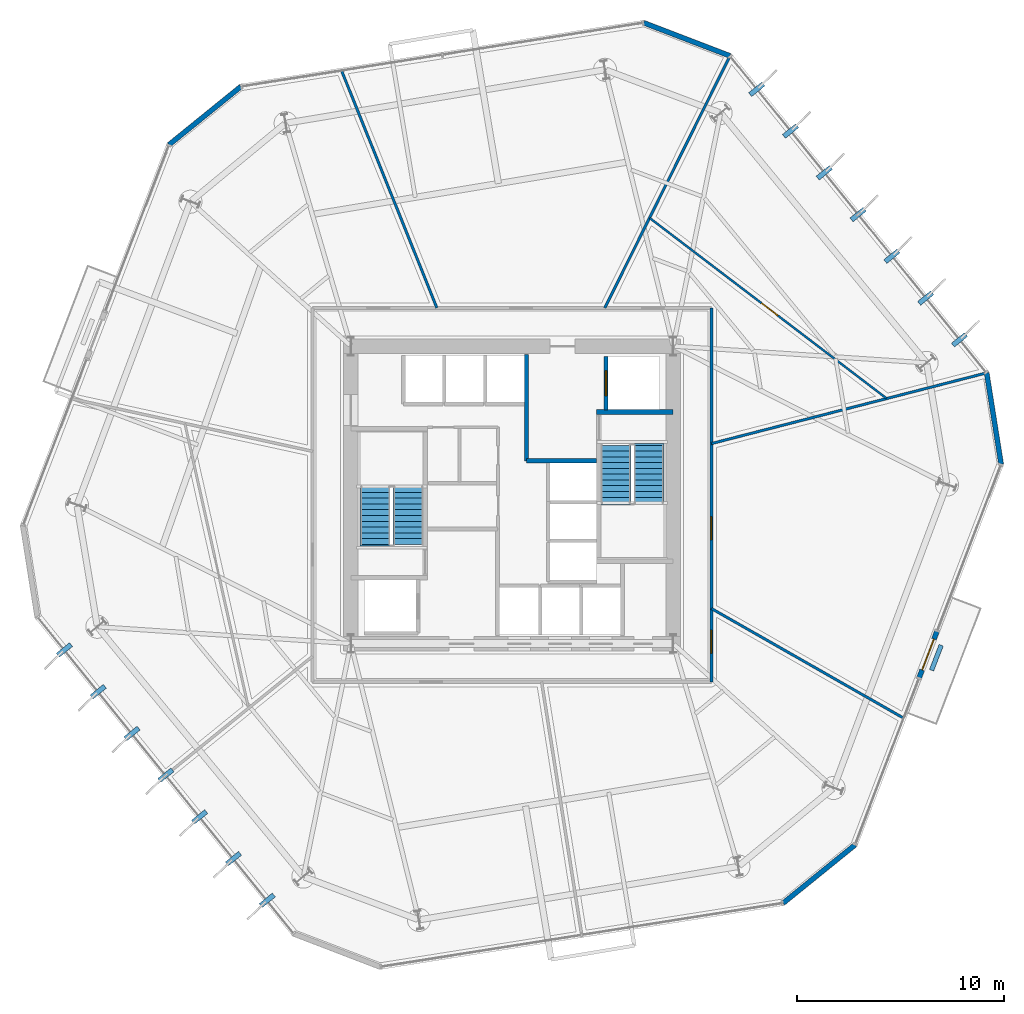
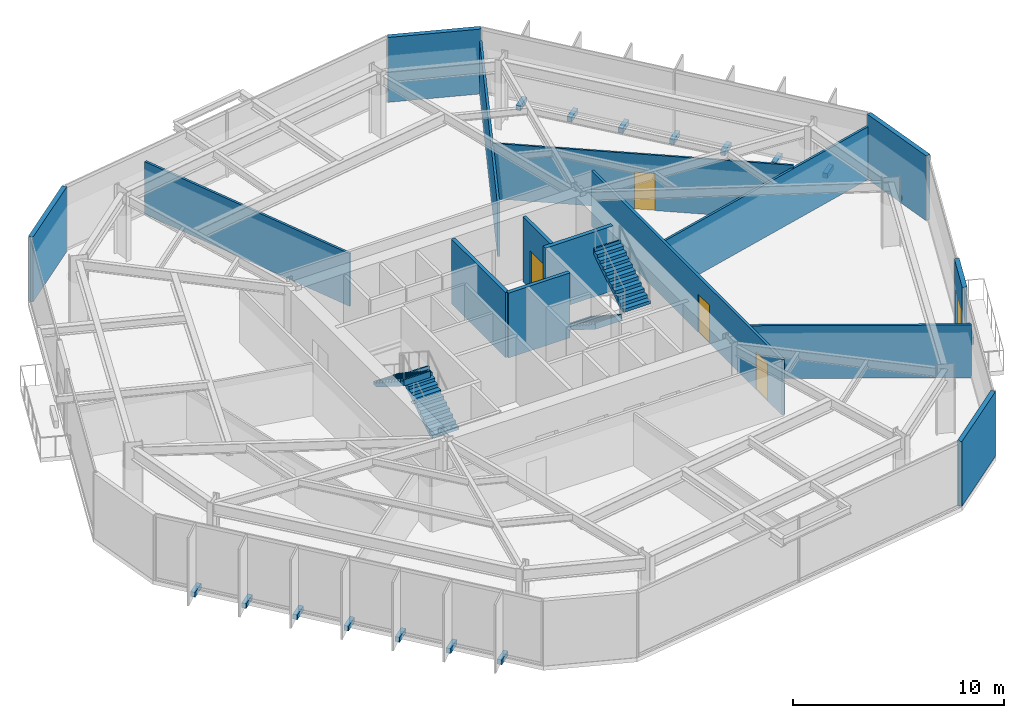
# One storey, part 8 of 11: 16 walls, 14 discrete accessories, 5 doors, 4 stair flights, 5 openings, 2 elements without a shape of their own.
"""IFC4 building model written with IfcOpenShell, lengths in metres."""

from ifc_helpers import new_model, si_unit, direction, frame, frame_2d, origin, origin_2d, place, context, subcontext, project, spatial, polyline, rectangle, outline, extrude, material, layer, layer_set, type_object, element, fill, aggregate, save


model = new_model("IFC4")

# Units and contexts
model_context = context("Model", 3, precision=1e-05, world=origin(), true_north=direction((0.0, 1.0)))
body_context = subcontext(model_context, "Body", "Model", "MODEL_VIEW")
ifc_project = project(units=[si_unit("LENGTHUNIT", "METRE"), si_unit("AREAUNIT", "SQUARE_METRE"), si_unit("VOLUMEUNIT", "CUBIC_METRE"), si_unit("PLANEANGLEUNIT", "RADIAN"), si_unit("MASSUNIT", "GRAM", prefix="KILO")], contexts=[model_context])

# Site, building, storey
site_placement = place(None, origin())
site = spatial("IfcSite", under=ifc_project, at=site_placement, CompositionType="ELEMENT")
building_placement = place(site_placement, origin())
building = spatial("IfcBuilding", under=site, at=building_placement, Name="Kranzbogen Civic Tower", CompositionType="ELEMENT")
storey_placement = place(building_placement, frame((0.0, 0.0, 56.0)))
storey = spatial("IfcBuildingStorey", under=building, at=storey_placement, Name="L13", CompositionType="ELEMENT", Elevation=56.0)

# Wall, openings, doors
ifc_material_1 = material(Name="Double-Stud Acoustic Gypsum Partition")
ifc_layer_1 = layer(ifc_material_1, 0.14990234375, Name="Double-Stud Acoustic Gypsum Partition")
ifc_layer_set_1 = layer_set([ifc_layer_1], Name="Double-Stud Acoustic Gypsum Partition")
wall_type_1 = type_object("IfcWallType", Name="Acoustic Corridor and Clinical Partition 150 mm", PredefinedType="PARTITIONING", material=ifc_layer_set_1)
wall_1_placement = place(storey_placement, frame((34.64990234375, 34.050048828125, 0.0), z_axis=(0.0, 0.0, 1.0), x_axis=(0.0, -1.0, 0.0)))
wall_1 = element("IfcWall", 1, at=wall_1_placement, inside=storey, type_object=wall_type_1, Name="L13 corridor partition 02", PredefinedType="PARTITIONING", context=body_context, shape_type="SweptSolid", body=[
    extrude(rectangle(XDim=18.10009765625, YDim=0.14990234375, at=frame_2d((9.050048828125, 0.0))), origin(), (0.0, 0.0, 1.0), 3.2099609375),
])
opening_1_placement = place(wall_1_placement, frame((15.615966796875, 0.0, 0.0)))
opening_1 = element("IfcOpeningElement", 2, at=opening_1_placement, cuts=wall_1, Name="Opening D-COR60", PredefinedType="OPENING", context=body_context, shape_type="SweptSolid", body=[
    extrude(rectangle(XDim=1.10009765625, YDim=2.199951171875, at=frame_2d((0.550048828125, 1.10009765625))), frame((0.0, 0.0849609375, 0.0), z_axis=(0.0, -1.0, 0.0), x_axis=(1.0, 0.0, 0.0)), (0.0, 0.0, 1.0), 0.169921875),
])
opening_2_placement = place(wall_1_placement, frame((10.114013671875, 0.0, 0.0)))
opening_2 = element("IfcOpeningElement", 3, at=opening_2_placement, cuts=wall_1, Name="Opening D-COR60", PredefinedType="OPENING", context=body_context, shape_type="SweptSolid", body=[
    extrude(rectangle(XDim=1.10009765625, YDim=2.199951171875, at=frame_2d((0.550048828125, 1.10009765625))), frame((0.0, 0.0849609375, 0.0), z_axis=(0.0, -1.0, 0.0), x_axis=(1.0, 0.0, 0.0)), (0.0, 0.0, 1.0), 0.169921875),
])
ifc_material_2 = material(Name="Oak Timber and Fire Core", Category="wood")
door_type_1 = type_object("IfcDoorType", Name="Corridor Acoustic Fire Door 1100x2200", OperationType="NOTDEFINED", PredefinedType="DOOR", material=ifc_material_2)
door_1_placement = place(opening_1_placement, origin())
door_1 = element("IfcDoor", 4, at=door_1_placement, inside=storey, type_object=door_type_1, Name="L13 Staff Tea Pantry door", OperationType="SINGLE_SWING_LEFT", OverallHeight=2.199951171875, OverallWidth=1.10009765625, PredefinedType="DOOR", context=body_context, shape_type="SweptSolid", body=[
    extrude(rectangle(XDim=1.10009765625, YDim=2.199951171875, at=frame_2d((0.550048828125, 1.10009765625))), frame((0.0, 0.02490234375, 0.0), z_axis=(0.0, -1.0, 0.0), x_axis=(1.0, 0.0, 0.0)), (0.0, 0.0, 1.0), 0.050048828125),
])
fill(opening_1, door_1)
door_2_placement = place(opening_2_placement, origin())
door_2 = element("IfcDoor", 5, at=door_2_placement, inside=storey, type_object=door_type_1, Name="L13 Hospitality Catering Kitchen door", OperationType="SINGLE_SWING_RIGHT", OverallHeight=2.199951171875, OverallWidth=1.10009765625, PredefinedType="DOOR", context=body_context, shape_type="SweptSolid", body=[
    extrude(rectangle(XDim=1.10009765625, YDim=2.199951171875, at=frame_2d((0.550048828125, 1.10009765625))), frame((0.0, 0.02490234375, 0.0), z_axis=(0.0, -1.0, 0.0), x_axis=(1.0, 0.0, 0.0)), (0.0, 0.0, 1.0), 0.050048828125),
])
fill(opening_2, door_2)

# Walls
ifc_material_3 = material(Name="Insulated Metal-Stud Gypsum Partition")
ifc_layer_2 = layer(ifc_material_3, 0.125, Name="Insulated Metal-Stud Gypsum Partition")
ifc_layer_set_2 = layer_set([ifc_layer_2], Name="Insulated Metal-Stud Gypsum Partition")
wall_type_2 = type_object("IfcWallType", Name="Acoustic Inter-Room Partition 125 mm", PredefinedType="PARTITIONING", material=ifc_layer_set_2)
wall_2_placement = place(storey_placement, frame((29.4951171875, 34.050048828125, 0.0), z_axis=(0.0, 0.0, 1.0), x_axis=(0.444763351691, 0.895648123424, 0.0)))
element("IfcWall", 6, at=wall_2_placement, inside=storey, type_object=wall_type_2, Name="L13 radial room partition 01", PredefinedType="PARTITIONING", context=body_context, shape_type="SweptSolid", body=[
    extrude(rectangle(XDim=13.60009765625, YDim=0.125, at=frame_2d((6.800048828125, 0.0))), origin(), (0.0, 0.0, 1.0), 3.06005859375),
])
wall_3_placement = place(storey_placement, frame((21.364013671875, 34.050048828125, 0.0), z_axis=(0.0, 0.0, 1.0), x_axis=(-0.372766267376, 0.927925271725, 0.0)))
element("IfcWall", 7, at=wall_3_placement, inside=storey, type_object=wall_type_2, Name="L13 radial room partition 02", PredefinedType="PARTITIONING", context=body_context, shape_type="SweptSolid", body=[
    extrude(rectangle(XDim=12.35888671875, YDim=0.125, at=frame_2d((6.179443359375, 0.0))), origin(), (0.0, 0.0, 1.0), 3.050048828125),
])
wall_4_placement = place(storey_placement, frame((34.64990234375, 19.498046875, 0.0), z_axis=(0.0, 0.0, 1.0), x_axis=(0.868738483575, -0.495271084515, 0.0)))
element("IfcWall", 8, at=wall_4_placement, inside=storey, type_object=wall_type_2, Name="L13 radial room partition 06", PredefinedType="PARTITIONING", context=body_context, shape_type="SweptSolid", body=[
    extrude(rectangle(XDim=10.697265625, YDim=0.125, at=frame_2d((5.3486328125, 0.0))), origin(), (0.0, 0.0, 1.0), 3.06005859375),
])
wall_5_placement = place(storey_placement, frame((34.64990234375, 27.47998046875, 0.0), z_axis=(0.0, 0.0, 1.0), x_axis=(0.96855240957, 0.248809625851, 0.0)))
element("IfcWall", 9, at=wall_5_placement, inside=storey, type_object=wall_type_2, Name="L13 radial room partition 07", PredefinedType="PARTITIONING", context=body_context, shape_type="SweptSolid", body=[
    extrude(rectangle(XDim=13.7412109375, YDim=0.125, at=frame_2d((6.87060546875, 0.0))), origin(), (0.0, 0.0, 1.0), 3.06005859375),
])
ifc_material_4 = material(Name="Architectural Precast Terracotta Concrete C40/50", Category="masonry")
ifc_layer_3 = layer(ifc_material_4, 0.219970703125, Name="Architectural Precast Terracotta Concrete C40/50")
ifc_layer_set_3 = layer_set([ifc_layer_3], Name="Architectural Precast Terracotta Concrete C40/50")
wall_type_3 = type_object("IfcWallType", Name="Architectural Tree Planter Kerb Wall 220 mm", PredefinedType="USERDEFINED", material=ifc_layer_set_3)
wall_6_placement = place(storey_placement, frame((45.31005859375, 16.507080078125, 0.0), z_axis=(0.0, 0.0, 1.0), x_axis=(0.358274337513, 0.933616355405, 0.0)))
element("IfcWall", 10, at=wall_6_placement, inside=storey, type_object=wall_type_3, Name="L13 landscaped tree balcony planter L13-TB2", ObjectType="PLANTER_WALL", PredefinedType="USERDEFINED", context=body_context, shape_type="SweptSolid", body=[
    extrude(rectangle(XDim=1.30029296875, YDim=0.219970703125, at=frame_2d((0.650146484375, 0.0))), origin(), (0.0, 0.0, 1.0), 0.39990234375),
])
ifc_material_5 = material(Name="Concrete C45/55", Category="concrete")
ifc_layer_4 = layer(ifc_material_5, 0.219970703125, Name="Concrete C45/55")
ifc_layer_set_4 = layer_set([ifc_layer_4], Name="Concrete C45/55")
wall_type_4 = type_object("IfcWallType", Name="Core Internal Stair Structural Wall 220 mm", PredefinedType="SOLIDWALL", material=ifc_layer_set_4)
wall_7_placement = place(storey_placement, frame((29.080078125, 29.010009765625, 0.0), z_axis=(0.0, 0.0, 1.0), x_axis=(1.0, 0.0, 0.0)))
element("IfcWall", 11, at=wall_7_placement, inside=storey, type_object=wall_type_4, Name="L13 ST-T2 North structural stair wall", PredefinedType="SOLIDWALL", context=body_context, shape_type="SweptSolid", body=[
    extrude(rectangle(XDim=3.719970703125, YDim=0.219970703125, at=frame_2d((1.85986328125, 0.0))), origin(), (0.0, 0.0, 1.0), 3.760009765625),
])

# Wall, opening, door
ifc_material_6 = material(Name="Demountable Aluminium and Gypsum Partition", Category="aluminium")
ifc_layer_5 = layer(ifc_material_6, 0.10009765625, Name="Demountable Aluminium and Gypsum Partition")
ifc_layer_set_5 = layer_set([ifc_layer_5], Name="Demountable Aluminium and Gypsum Partition")
wall_type_5 = type_object("IfcWallType", Name="Demountable Office Partition 100 mm", PredefinedType="MOVABLE", material=ifc_layer_set_5)
wall_8_placement = place(storey_placement, frame((43.126953125, 29.673095703125, 0.0), z_axis=(0.0, 0.0, 1.0), x_axis=(-0.795608764692, 0.605810773712, 0.0)))
wall_8 = element("IfcWall", 12, at=wall_8_placement, inside=storey, type_object=wall_type_5, Name="L13 suite chord partition 02", PredefinedType="MOVABLE", context=body_context, shape_type="SweptSolid", body=[
    extrude(rectangle(XDim=14.400390625, YDim=0.10009765625, at=frame_2d((7.2001953125, 0.0))), origin(), (0.0, 0.0, 1.0), 3.2099609375),
])
opening_3_placement = place(wall_8_placement, frame((6.611083984375, 0.0, 0.0)))
opening_3 = element("IfcOpeningElement", 13, at=opening_3_placement, cuts=wall_8, Name="Opening D-OFC10", PredefinedType="OPENING", context=body_context, shape_type="SweptSolid", body=[
    extrude(rectangle(XDim=1.0, YDim=2.14990234375, at=frame_2d((0.5, 1.074951171875))), frame((0.0, 0.06005859375, 0.0), z_axis=(0.0, -1.0, 0.0), x_axis=(1.0, 0.0, 0.0)), (0.0, 0.0, 1.0), 0.1201171875),
])
ifc_material_7 = material(Name="Oak Timber Veneer", Category="wood")
door_type_2 = type_object("IfcDoorType", Name="Standard Office Acoustic Door 1000x2150", OperationType="NOTDEFINED", PredefinedType="DOOR", material=ifc_material_7)
door_3_placement = place(opening_3_placement, origin())
door_3 = element("IfcDoor", 14, at=door_3_placement, inside=storey, type_object=door_type_2, Name="L13 Operations Security Control Room door", OperationType="SINGLE_SWING_RIGHT", OverallHeight=2.14990234375, OverallWidth=1.0, PredefinedType="DOOR", context=body_context, shape_type="SweptSolid", body=[
    extrude(rectangle(XDim=1.0, YDim=2.14990234375, at=frame_2d((0.5, 1.074951171875))), frame((0.0, 0.02490234375, 0.0), z_axis=(0.0, -1.0, 0.0), x_axis=(1.0, 0.0, 0.0)), (0.0, 0.0, 1.0), 0.050048828125),
])
fill(opening_3, door_3)

# Walls
ifc_material_8 = material(Name="Gypsum Fireboard and Concrete Block", Category="concrete")
ifc_layer_6 = layer(ifc_material_8, 0.199951171875, Name="Gypsum Fireboard and Concrete Block")
ifc_layer_set_6 = layer_set([ifc_layer_6], Name="Gypsum Fireboard and Concrete Block")
wall_type_6 = type_object("IfcWallType", Name="Fire-Rated Exit Passageway and Stair Wall 200 mm", PredefinedType="PARTITIONING", material=ifc_layer_set_6)
wall_9_placement = place(storey_placement, frame((25.699951171875, 26.64990234375, 0.0), z_axis=(0.0, 0.0, 1.0), x_axis=(0.0, 1.0, 0.0)))
element("IfcWall", 15, at=wall_9_placement, inside=storey, type_object=wall_type_6, Name="L13 East firefighting lobby West wall", PredefinedType="PARTITIONING", context=body_context, shape_type="SweptSolid", body=[
    extrude(rectangle(XDim=5.150146484375, YDim=0.199951171875, at=frame_2d((2.5751953125, 0.0))), origin(), (0.0, 0.0, 1.0), 3.760009765625),
])
wall_10_placement = place(storey_placement, frame((25.699951171875, 26.64990234375, 0.0), z_axis=(0.0, 0.0, 1.0), x_axis=(1.0, 0.0, 0.0)))
element("IfcWall", 16, at=wall_10_placement, inside=storey, type_object=wall_type_6, Name="L13 East firefighting lobby South wall", PredefinedType="PARTITIONING", context=body_context, shape_type="SweptSolid", body=[
    extrude(rectangle(XDim=3.380126953125, YDim=0.199951171875, at=frame_2d((1.68994140625, 0.0))), origin(), (0.0, 0.0, 1.0), 3.760009765625),
])

# Wall, opening, door
ifc_material_9 = material(Name="Gypsum Fireboard Shaftliner")
ifc_layer_7 = layer(ifc_material_9, 0.175048828125, Name="Gypsum Fireboard Shaftliner")
ifc_layer_set_7 = layer_set([ifc_layer_7], Name="Gypsum Fireboard Shaftliner")
wall_type_7 = type_object("IfcWallType", Name="Fire-Rated Lift and Service Shaft Wall 175 mm", PredefinedType="PARTITIONING", material=ifc_layer_set_7)
wall_11_placement = place(storey_placement, frame((29.550048828125, 29.10009765625, 0.0), z_axis=(0.0, 0.0, 1.0), x_axis=(0.0, 1.0, 0.0)))
wall_11 = element("IfcWall", 17, at=wall_11_placement, inside=storey, type_object=wall_type_7, Name="L13 lift FF-02 landing wall", PredefinedType="PARTITIONING", context=body_context, shape_type="SweptSolid", body=[
    extrude(rectangle(XDim=2.599853515625, YDim=0.175048828125, at=frame_2d((1.2998046875, 0.0))), origin(), (0.0, 0.0, 1.0), 3.760009765625),
])
opening_4_placement = place(wall_11_placement, frame((0.699951171875, 0.0, 0.0)))
opening_4 = element("IfcOpeningElement", 18, at=opening_4_placement, cuts=wall_11, Name="Opening LD-FF-02", PredefinedType="OPENING", context=body_context, shape_type="SweptSolid", body=[
    extrude(rectangle(XDim=1.199951171875, YDim=2.199951171875, at=frame_2d((0.60009765625, 1.10009765625))), frame((0.0, 0.09765625, 0.0), z_axis=(0.0, -1.0, 0.0), x_axis=(1.0, 0.0, 0.0)), (0.0, 0.0, 1.0), 0.195068359375),
])
ifc_material_10 = material(Name="Pale Anodised Aluminium", Category="aluminium")
door_type_3 = type_object("IfcDoorType", Name="Firefighting and Stretcher Lift Sliding Landing Door 1200x2200", OperationType="DOUBLE_DOOR_SLIDING", PredefinedType="DOOR", material=ifc_material_10)
door_4_placement = place(opening_4_placement, origin())
door_4 = element("IfcDoor", 19, at=door_4_placement, inside=storey, type_object=door_type_3, Name="L13 lift FF-02 sliding landing door", OperationType="DOUBLE_DOOR_SLIDING", OverallHeight=2.199951171875, OverallWidth=1.199951171875, PredefinedType="DOOR", context=body_context, shape_type="SweptSolid", body=[
    extrude(rectangle(XDim=1.199951171875, YDim=2.199951171875, at=frame_2d((0.60009765625, 1.10009765625))), frame((0.0, 0.02490234375, 0.0), z_axis=(0.0, -1.0, 0.0), x_axis=(1.0, 0.0, 0.0)), (0.0, 0.0, 1.0), 0.050048828125),
])
fill(opening_4, door_4)

# Walls
ifc_layer_8 = layer(ifc_material_10, 0.239990234375, Name="Pale Anodised Aluminium")
ifc_layer_set_8 = layer_set([ifc_layer_8], Name="Pale Anodised Aluminium")
wall_type_8 = type_object("IfcWallType", Name="Insulated Aluminium Facade Portal Wall 240 mm", PredefinedType="STANDARD", material=ifc_layer_set_8)
wall_12_placement = place(storey_placement, frame((35.552978515625, 46.2490234375, 0.0), z_axis=(0.0, 0.0, 1.0), x_axis=(-0.933681352495, 0.358104917591, 0.0)))
element("IfcWall", 20, at=wall_12_placement, inside=storey, type_object=wall_type_8, Name="L13 chamfered corner facade spandrel 1", PredefinedType="STANDARD", context=body_context, shape_type="SweptSolid", body=[
    extrude(rectangle(XDim=4.4736328125, YDim=0.239990234375, at=frame_2d((2.23681640625, 0.0))), origin(), (0.0, 0.0, 1.0), 3.760009765625),
])
for number, where, z_axis, x_axis, name in (
    (21, (11.8740234375, 44.761962890625, 0.0), (0.0, 0.0, 1.0), (-0.777138088211, -0.629330113574, 0.0), "L13 chamfered corner facade spandrel 2"),
    (22, (38.1259765625, 5.238037109375, 0.0), (0.0, 0.0, 1.0), (0.777138088211, 0.629330113574, 0.0), "L13 chamfered corner facade spandrel 5"),
):
    element("IfcWall", number, at=place(storey_placement, frame(where, z_axis=z_axis, x_axis=x_axis)), inside=storey, type_object=wall_type_8, Name=name, PredefinedType="STANDARD", context=body_context, shape_type="SweptSolid", body=[
        extrude(rectangle(XDim=4.472900390625, YDim=0.239990234375, at=frame_2d((2.236328125, 0.0))), origin(), (0.0, 0.0, 1.0), 3.760009765625),
    ])

# Wall, opening, door
wall_13_placement = place(storey_placement, frame((44.7099609375, 16.14892578125, 0.0), z_axis=(0.0, 0.0, 1.0), x_axis=(0.35832469106, 0.933597030724, 0.0)))
wall_13 = element("IfcWall", 23, at=wall_13_placement, inside=storey, type_object=wall_type_8, Name="L13 exterior entrance portal wall 1", PredefinedType="STANDARD", context=body_context, shape_type="SweptSolid", body=[
    extrude(rectangle(XDim=2.400390625, YDim=0.239990234375, at=frame_2d((1.2001953125, 0.0))), origin(), (0.0, 0.0, 1.0), 3.760009765625),
])
opening_5_placement = place(wall_13_placement, frame((0.39990234375, 0.0, 0.0)))
opening_5 = element("IfcOpeningElement", 24, at=opening_5_placement, cuts=wall_13, Name="Opening D-TER", PredefinedType="OPENING", context=body_context, shape_type="SweptSolid", body=[
    extrude(rectangle(XDim=1.60009765625, YDim=2.25, at=frame_2d((0.800048828125, 1.125))), frame((0.0, 0.1298828125, 0.0), z_axis=(0.0, -1.0, 0.0), x_axis=(1.0, 0.0, 0.0)), (0.0, 0.0, 1.0), 0.260009765625),
])
ifc_material_11 = material(Name="Anodised Bronze and Triple Glass", Category="glass")
door_type_4 = type_object("IfcDoorType", Name="Glazed Terrace and Balcony Double Door 1600x2250", OperationType="DOUBLE_DOOR_SINGLE_SWING", PredefinedType="DOOR", material=ifc_material_11)
door_5_placement = place(opening_5_placement, frame((1.60009765625, 0.0, 0.0), z_axis=(0.0, 0.0, 1.0), x_axis=(-1.0, 0.0, 0.0)))
door_5 = element("IfcDoor", 25, at=door_5_placement, inside=storey, type_object=door_type_4, Name="L13 tree balcony access door L13-TB2", OperationType="DOUBLE_DOOR_SINGLE_SWING", OverallHeight=2.25, OverallWidth=1.60009765625, PredefinedType="DOOR", context=body_context, shape_type="SweptSolid", body=[
    extrude(rectangle(XDim=1.60009765625, YDim=2.25, at=frame_2d((0.800048828125, 1.125))), frame((0.0, 0.02490234375, 0.0), z_axis=(0.0, -1.0, 0.0), x_axis=(1.0, 0.0, 0.0)), (0.0, 0.0, 1.0), 0.050048828125),
])
fill(opening_5, door_5)

# Wall
wall_14_placement = place(storey_placement, frame((48.677001953125, 26.485107421875, 0.0), z_axis=(0.0, 0.0, 1.0), x_axis=(-0.156447327705, 0.987686303263, 0.0)))
element("IfcWall", 26, at=wall_14_placement, inside=storey, type_object=wall_type_8, Name="L13 chamfered corner facade spandrel 6", PredefinedType="STANDARD", context=body_context, shape_type="SweptSolid", body=[
    extrude(rectangle(XDim=4.47412109375, YDim=0.239990234375, at=frame_2d((2.237060546875, 0.0))), origin(), (0.0, 0.0, 1.0), 3.760009765625),
])

# Stair, stair flights
ifc_material_12 = material(Name="Precast concrete C40/50", Category="concrete")
stair_type_1 = type_object("IfcStairType", Name="Tower Core Pressurized Dogleg Stair 1450", PredefinedType="HALF_TURN_STAIR", material=ifc_material_12)
stair_1_placement = place(storey_placement, origin())
stair_1 = element("IfcStair", 27, at=stair_1_placement, inside=storey, type_object=stair_type_1, Name="L13 Tower Core Pressurized Stair 1", PredefinedType="HALF_TURN_STAIR")
stair_flight_type = type_object("IfcStairFlightType", Name="Precast Concrete Stair Flight R180", PredefinedType="STRAIGHT", material=ifc_material_12)
stair_flight_1_placement = place(storey_placement, frame((19.97509765625, 22.60009765625, 0.0), z_axis=(0.0, 0.0, 1.0), x_axis=(0.0, 1.0, 0.0)))
stair_flight_1 = element("IfcStairFlight", 28, at=stair_flight_1_placement, type_object=stair_flight_type, Name="ST-T1 flight 1", NumberOfRisers=11, NumberOfTreads=10, PredefinedType="STRAIGHT", RiserHeight=0.181818182, TreadLength=0.28, context=body_context, shape_type="SweptSolid", body=[
    extrude(outline(polyline([(0.0, 0.0), (0.0, 0.181884765625), (0.280029296875, 0.181884765625), (0.280029296875, 0.363525390625), (0.56005859375, 0.363525390625), (0.56005859375, 0.54541015625), (0.840087890625, 0.54541015625), (0.840087890625, 0.727294921875), (1.1201171875, 0.727294921875), (1.1201171875, 0.9091796875), (1.39990234375, 0.9091796875), (1.39990234375, 1.0908203125), (1.679931640625, 1.0908203125), (1.679931640625, 1.272705078125), (1.9599609375, 1.272705078125), (1.9599609375, 1.45458984375), (2.239990234375, 1.45458984375), (2.239990234375, 1.636474609375), (2.52001953125, 1.636474609375), (2.52001953125, 1.818115234375), (2.800048828125, 1.818115234375), (2.800048828125, 2.0), (2.880126953125, 2.0), (2.880126953125, 1.639404296875), (0.275146484375, 0.0), (0.0, 0.0)])), frame((0.0, 0.72509765625, 0.0), z_axis=(0.0, -1.0, 0.0), x_axis=(1.0, 0.0, 0.0)), (0.0, 0.0, 1.0), 1.449951171875),
])
stair_flight_2_placement = place(storey_placement, frame((18.375, 25.39990234375, 2.0), z_axis=(0.0, 0.0, 1.0), x_axis=(0.0, -1.0, 0.0)))
stair_flight_2 = element("IfcStairFlight", 29, at=stair_flight_2_placement, type_object=stair_flight_type, Name="ST-T1 flight 2", NumberOfRisers=11, NumberOfTreads=10, PredefinedType="STRAIGHT", RiserHeight=0.181818182, TreadLength=0.28, context=body_context, shape_type="SweptSolid", body=[
    extrude(outline(polyline([(0.0, 0.0), (0.0, 0.181884765625), (0.280029296875, 0.181884765625), (0.280029296875, 0.363525390625), (0.56005859375, 0.363525390625), (0.56005859375, 0.54541015625), (0.840087890625, 0.54541015625), (0.840087890625, 0.727294921875), (1.1201171875, 0.727294921875), (1.1201171875, 0.9091796875), (1.39990234375, 0.9091796875), (1.39990234375, 1.0908203125), (1.679931640625, 1.0908203125), (1.679931640625, 1.272705078125), (1.9599609375, 1.272705078125), (1.9599609375, 1.45458984375), (2.239990234375, 1.45458984375), (2.239990234375, 1.636474609375), (2.52001953125, 1.636474609375), (2.52001953125, 1.818115234375), (2.800048828125, 1.818115234375), (2.800048828125, 2.0), (2.880126953125, 2.0), (2.880126953125, 1.639404296875), (0.275146484375, 0.0), (0.0, 0.0)])), frame((0.0, 0.72509765625, 0.0), z_axis=(0.0, -1.0, 0.0), x_axis=(1.0, 0.0, 0.0)), (0.0, 0.0, 1.0), 1.449951171875),
])
aggregate(stair_1, [stair_flight_1, stair_flight_2])

stair_type_2 = type_object("IfcStairType", Name="Tower Core Secondary Dogleg Stair 1450", PredefinedType="HALF_TURN_STAIR", material=ifc_material_12)
stair_2_placement = place(storey_placement, origin())
stair_2 = element("IfcStair", 30, at=stair_2_placement, inside=storey, type_object=stair_type_2, Name="L13 Tower Core Pressurized Stair 2", PredefinedType="HALF_TURN_STAIR")
stair_flight_3_placement = place(storey_placement, frame((30.02490234375, 27.39990234375, 0.0), z_axis=(0.0, 0.0, 1.0), x_axis=(0.0, -1.0, 0.0)))
stair_flight_3 = element("IfcStairFlight", 31, at=stair_flight_3_placement, type_object=stair_flight_type, Name="ST-T2 flight 1", NumberOfRisers=11, NumberOfTreads=10, PredefinedType="STRAIGHT", RiserHeight=0.181818182, TreadLength=0.28, context=body_context, shape_type="SweptSolid", body=[
    extrude(outline(polyline([(0.0, 0.0), (0.0, 0.181884765625), (0.280029296875, 0.181884765625), (0.280029296875, 0.363525390625), (0.56005859375, 0.363525390625), (0.56005859375, 0.54541015625), (0.840087890625, 0.54541015625), (0.840087890625, 0.727294921875), (1.1201171875, 0.727294921875), (1.1201171875, 0.9091796875), (1.39990234375, 0.9091796875), (1.39990234375, 1.0908203125), (1.679931640625, 1.0908203125), (1.679931640625, 1.272705078125), (1.9599609375, 1.272705078125), (1.9599609375, 1.45458984375), (2.239990234375, 1.45458984375), (2.239990234375, 1.636474609375), (2.52001953125, 1.636474609375), (2.52001953125, 1.818115234375), (2.800048828125, 1.818115234375), (2.800048828125, 2.0), (2.880126953125, 2.0), (2.880126953125, 1.639404296875), (0.275146484375, 0.0), (0.0, 0.0)])), frame((0.0, 0.72509765625, 0.0), z_axis=(0.0, -1.0, 0.0), x_axis=(1.0, 0.0, 0.0)), (0.0, 0.0, 1.0), 1.449951171875),
])
stair_flight_4_placement = place(storey_placement, frame((31.625, 24.60009765625, 2.0), z_axis=(0.0, 0.0, 1.0), x_axis=(0.0, 1.0, 0.0)))
stair_flight_4 = element("IfcStairFlight", 32, at=stair_flight_4_placement, type_object=stair_flight_type, Name="ST-T2 flight 2", NumberOfRisers=11, NumberOfTreads=10, PredefinedType="STRAIGHT", RiserHeight=0.181818182, TreadLength=0.28, context=body_context, shape_type="SweptSolid", body=[
    extrude(outline(polyline([(0.0, 0.0), (0.0, 0.181884765625), (0.280029296875, 0.181884765625), (0.280029296875, 0.363525390625), (0.56005859375, 0.363525390625), (0.56005859375, 0.54541015625), (0.840087890625, 0.54541015625), (0.840087890625, 0.727294921875), (1.1201171875, 0.727294921875), (1.1201171875, 0.9091796875), (1.39990234375, 0.9091796875), (1.39990234375, 1.0908203125), (1.679931640625, 1.0908203125), (1.679931640625, 1.272705078125), (1.9599609375, 1.272705078125), (1.9599609375, 1.45458984375), (2.239990234375, 1.45458984375), (2.239990234375, 1.636474609375), (2.52001953125, 1.636474609375), (2.52001953125, 1.818115234375), (2.800048828125, 1.818115234375), (2.800048828125, 2.0), (2.880126953125, 2.0), (2.880126953125, 1.639404296875), (0.275146484375, 0.0), (0.0, 0.0)])), frame((0.0, 0.72509765625, 0.0), z_axis=(0.0, -1.0, 0.0), x_axis=(1.0, 0.0, 0.0)), (0.0, 0.0, 1.0), 1.449951171875),
])
aggregate(stair_2, [stair_flight_3, stair_flight_4])

# Discrete accessories
ifc_material_13 = material(Name="Steel S355", Category="steel")
discrete_accessory_type = type_object("IfcDiscreteAccessoryType", Name="Structural Curtain-Wall Fin Support Bracket", PredefinedType="BRACKET", material=ifc_material_13)
for number, where, z_axis, x_axis, name in (
    (33, (46.6640625, 32.506103515625, -0.25), (0.0, 0.0, 1.0), (0.777145961457, 0.62932039105, 0.0), "L13 facade fin support bracket F1-1"),
    (34, (45.028076171875, 34.527099609375, -0.25), (0.0, 0.0, 1.0), (0.777145961457, 0.62932039105, 0.0), "L13 facade fin support bracket F1-2"),
    (35, (43.39111328125, 36.548095703125, -0.25), (0.0, 0.0, 1.0), (0.777145961457, 0.62932039105, 0.0), "L13 facade fin support bracket F1-3"),
    (36, (41.7548828125, 38.568115234375, -0.25), (0.0, 0.0, 1.0), (0.777145961457, 0.62932039105, 0.0), "L13 facade fin support bracket F1-4"),
    (37, (40.118896484375, 40.589111328125, -0.25), (0.0, 0.0, 1.0), (0.777145961457, 0.62932039105, 0.0), "L13 facade fin support bracket F1-5"),
    (38, (38.48291015625, 42.610107421875, -0.25), (0.0, 0.0, 1.0), (0.777145961457, 0.62932039105, 0.0), "L13 facade fin support bracket F1-6"),
    (39, (36.846923828125, 44.6298828125, -0.25), (0.0, 0.0, 1.0), (0.777145961457, 0.62932039105, 0.0), "L13 facade fin support bracket F1-7"),
    (40, (3.3359375, 17.493896484375, -0.25), (0.0, 0.0, 1.0), (-0.777145961457, -0.62932039105, 0.0), "L13 facade fin support bracket F4-1"),
    (41, (4.971923828125, 15.472900390625, -0.25), (0.0, 0.0, 1.0), (-0.777145961457, -0.62932039105, 0.0), "L13 facade fin support bracket F4-2"),
    (42, (6.60888671875, 13.451904296875, -0.25), (0.0, 0.0, 1.0), (-0.777145961457, -0.62932039105, 0.0), "L13 facade fin support bracket F4-3"),
    (43, (8.2451171875, 11.431884765625, -0.25), (0.0, 0.0, 1.0), (-0.777145961457, -0.62932039105, 0.0), "L13 facade fin support bracket F4-4"),
    (44, (9.881103515625, 9.410888671875, -0.25), (0.0, 0.0, 1.0), (-0.777145961457, -0.62932039105, 0.0), "L13 facade fin support bracket F4-5"),
    (45, (11.51708984375, 7.389892578125, -0.25), (0.0, 0.0, 1.0), (-0.777145961457, -0.62932039105, 0.0), "L13 facade fin support bracket F4-6"),
    (46, (13.153076171875, 5.3701171875, -0.25), (0.0, 0.0, 1.0), (-0.777145961457, -0.62932039105, 0.0), "L13 facade fin support bracket F4-7"),
):
    element("IfcDiscreteAccessory", number, at=place(storey_placement, frame(where, z_axis=z_axis, x_axis=x_axis)), inside=storey, type_object=discrete_accessory_type, Name=name, PredefinedType="BRACKET", context=body_context, shape_type="SweptSolid", body=[
        extrude(rectangle(XDim=0.820068359375, YDim=0.239990234375, at=origin_2d()), origin(), (0.0, 0.0, 1.0), 0.280029296875),
    ])

save(model, "model.ifc")
